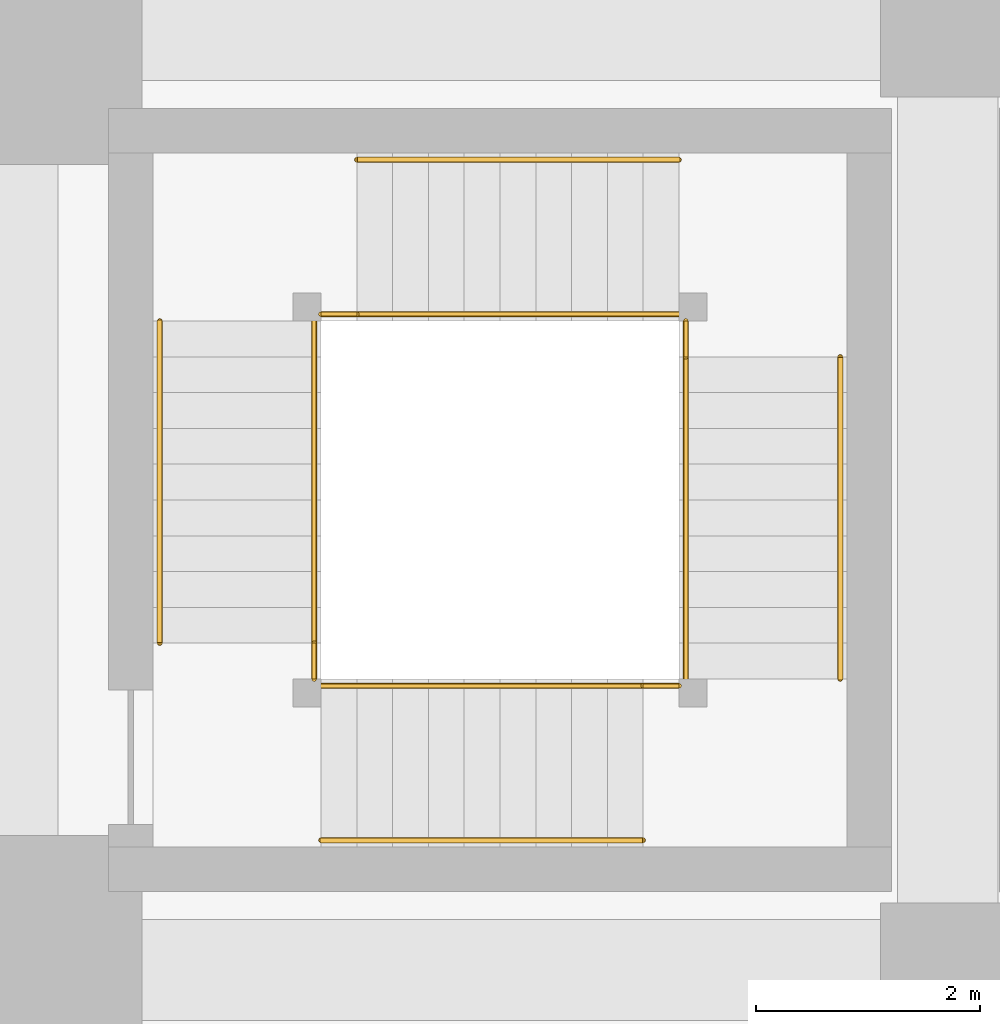
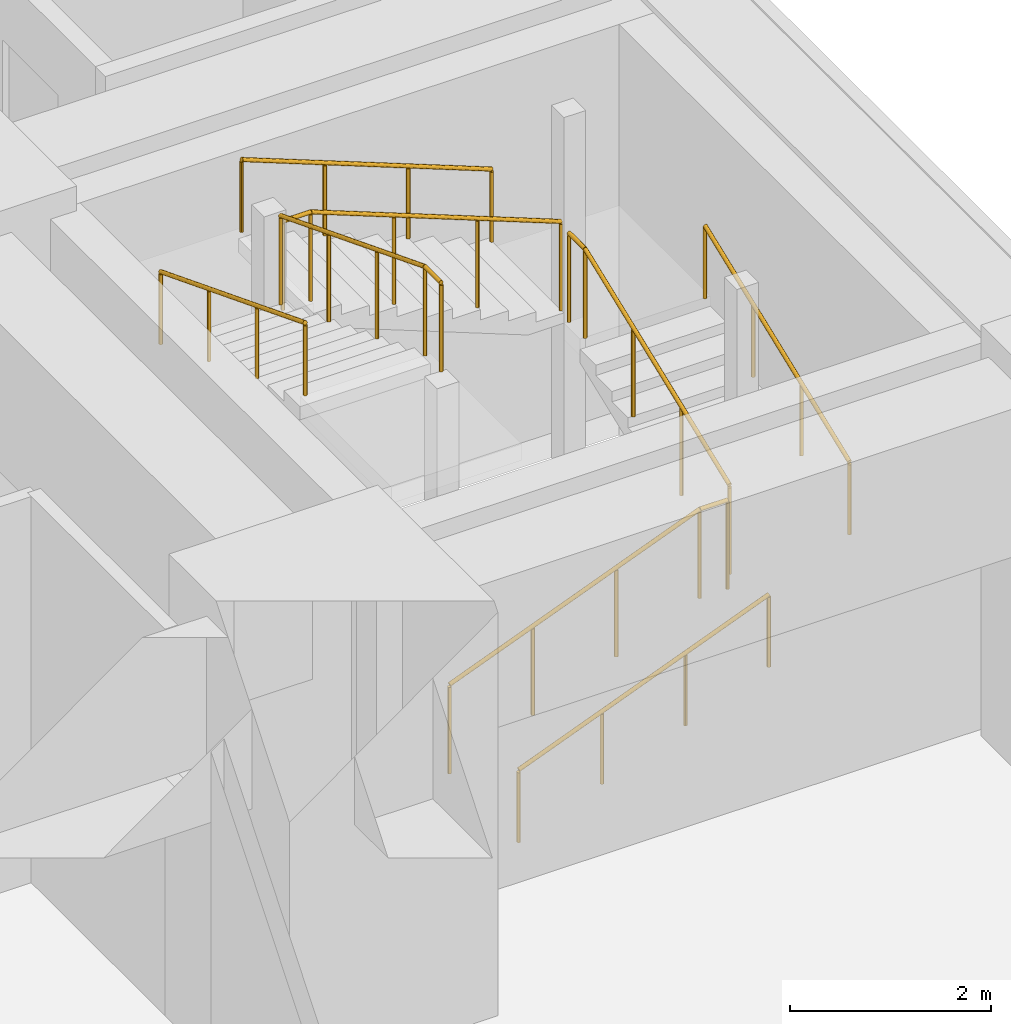
# One storey, part 49 of 49: 12 railings.
"""IFC4 building model written with IfcOpenShell, lengths in metres."""

from ifc_helpers import new_model, si_unit, direction, frame, origin, origin_2d, place, context, subcontext, project, spatial, circle, extrude, material, type_object, element, save


model = new_model("IFC4")

# Units and contexts
model_context = context("Model", 3, precision=1e-05, world=origin(), true_north=direction((0.0, 1.0)))
body_context = subcontext(model_context, "Body", "Model", "MODEL_VIEW")
ifc_project = project(units=[si_unit("LENGTHUNIT", "METRE"), si_unit("AREAUNIT", "SQUARE_METRE"), si_unit("VOLUMEUNIT", "CUBIC_METRE"), si_unit("PLANEANGLEUNIT", "RADIAN"), si_unit("MASSUNIT", "GRAM", prefix="KILO")], contexts=[model_context])

# Site, building, storey
site_placement = place(None, origin())
site = spatial("IfcSite", under=ifc_project, at=site_placement, CompositionType="ELEMENT")
building_placement = place(site_placement, origin())
building = spatial("IfcBuilding", under=site, at=building_placement, Name="Rekha Terrace Tower", CompositionType="ELEMENT")
storey_placement = place(building_placement, frame((0.0, 0.0, 10.39990234375)))
storey = spatial("IfcBuildingStorey", under=building, at=storey_placement, Name="L02", CompositionType="ELEMENT", Elevation=10.39990234375)

# Railings
ifc_material_1 = material(Name="Stainless steel balustrade", Category="steel")
railing_type_1 = type_object("IfcRailingType", Name="GR1 1100 stair guard", PredefinedType="GUARDRAIL", material=ifc_material_1)
railing_1_placement = place(storey_placement, frame((70.0, 27.739990234375, 0.125)))
element("IfcRailing", 1, at=railing_1_placement, inside=storey, type_object=railing_type_1, Name="Guard SP2 L02 flight 1", PredefinedType="GUARDRAIL", context=body_context, shape_type="SweptSolid", body=[
    extrude(circle(Radius=0.02392578125, at=origin_2d()), frame((0.0, 0.0, 1.076171875), z_axis=(0.931452331594, 0.0, 0.363863372667), x_axis=(0.0, 1.0, 0.0)), (0.0, 0.0, 1.0), 3.091796875),
    extrude(circle(Radius=0.02099609375, at=origin_2d()), origin(), (0.0, 0.0, 1.0), 1.052001953125),
    extrude(circle(Radius=0.02099609375, at=origin_2d()), frame((0.9599609375, 0.0, 0.375)), (0.0, 0.0, 1.0), 1.052001953125),
    extrude(circle(Radius=0.02099609375, at=origin_2d()), frame((1.919921875, 0.0, 0.75)), (0.0, 0.0, 1.0), 1.052001953125),
    extrude(circle(Radius=0.02099609375, at=origin_2d()), frame((2.8798828125, 0.0, 1.125)), (0.0, 0.0, 1.0), 1.052001953125),
])
railing_2_placement = place(storey_placement, frame((73.260009765625, 27.800048828125, 1.375)))
element("IfcRailing", 2, at=railing_2_placement, inside=storey, type_object=railing_type_1, Name="Guard SP2 L02 flight 2", PredefinedType="GUARDRAIL", context=body_context, shape_type="SweptSolid", body=[
    extrude(circle(Radius=0.02392578125, at=origin_2d()), frame((0.0, 0.0, 1.076171875), z_axis=(0.0, 0.931452331594, 0.363863372667), x_axis=(-1.0, 0.0, 0.0)), (0.0, 0.0, 1.0), 3.091796875),
    extrude(circle(Radius=0.02099609375, at=origin_2d()), origin(), (0.0, 0.0, 1.0), 1.052001953125),
    extrude(circle(Radius=0.02099609375, at=origin_2d()), frame((0.0, 0.9599609375, 0.375)), (0.0, 0.0, 1.0), 1.052001953125),
    extrude(circle(Radius=0.02099609375, at=origin_2d()), frame((0.0, 1.919921875, 0.75)), (0.0, 0.0, 1.0), 1.052001953125),
    extrude(circle(Radius=0.02099609375, at=origin_2d()), frame((0.0, 2.8798828125, 1.125)), (0.0, 0.0, 1.0), 1.052001953125),
])
railing_3_placement = place(storey_placement, frame((73.199951171875, 31.06005859375, 2.625)))
element("IfcRailing", 3, at=railing_3_placement, inside=storey, type_object=railing_type_1, Name="Guard SP2 L02 flight 3", PredefinedType="GUARDRAIL", context=body_context, shape_type="SweptSolid", body=[
    extrude(circle(Radius=0.02392578125, at=origin_2d()), frame((0.0, 0.0, 1.076171875), z_axis=(-0.931452331594, 0.0, 0.363863372667), x_axis=(0.0, -1.0, 0.0)), (0.0, 0.0, 1.0), 3.091796875),
    extrude(circle(Radius=0.02099609375, at=origin_2d()), origin(), (0.0, 0.0, 1.0), 1.052001953125),
    extrude(circle(Radius=0.02099609375, at=origin_2d()), frame((-0.9599609375, 0.0, 0.375)), (0.0, 0.0, 1.0), 1.052001953125),
    extrude(circle(Radius=0.02099609375, at=origin_2d()), frame((-1.919921875, 0.0, 0.75)), (0.0, 0.0, 1.0), 1.052001953125),
    extrude(circle(Radius=0.02099609375, at=origin_2d()), frame((-2.8798828125, 0.0, 1.125)), (0.0, 0.0, 1.0), 1.052001953125),
])
railing_4_placement = place(storey_placement, frame((69.93994140625, 31.0, 3.875)))
element("IfcRailing", 4, at=railing_4_placement, inside=storey, type_object=railing_type_1, Name="Guard SP2 L02 flight 4", PredefinedType="GUARDRAIL", context=body_context, shape_type="SweptSolid", body=[
    extrude(circle(Radius=0.02392578125, at=origin_2d()), frame((0.0, 0.0, 1.076171875), z_axis=(0.0, -0.931452331594, 0.363863372667), x_axis=(1.0, 0.0, 0.0)), (0.0, 0.0, 1.0), 3.091796875),
    extrude(circle(Radius=0.02099609375, at=origin_2d()), origin(), (0.0, 0.0, 1.0), 1.052001953125),
    extrude(circle(Radius=0.02099609375, at=origin_2d()), frame((0.0, -0.9599609375, 0.375)), (0.0, 0.0, 1.0), 1.052001953125),
    extrude(circle(Radius=0.02099609375, at=origin_2d()), frame((0.0, -1.919921875, 0.75)), (0.0, 0.0, 1.0), 1.052001953125),
    extrude(circle(Radius=0.02099609375, at=origin_2d()), frame((0.0, -2.8798828125, 1.125)), (0.0, 0.0, 1.0), 1.052001953125),
])
railing_5_placement = place(storey_placement, frame((72.8798828125, 27.739990234375, 1.25)))
element("IfcRailing", 5, at=railing_5_placement, inside=storey, type_object=railing_type_1, Name="Guard SP2 L02 landing 1", PredefinedType="GUARDRAIL", context=body_context, shape_type="SweptSolid", body=[
    extrude(circle(Radius=0.02392578125, at=origin_2d()), frame((0.0, 0.0, 1.076171875), z_axis=(1.0, 0.0, 0.0), x_axis=(0.0, 1.0, 0.0)), (0.0, 0.0, 1.0), 0.320068359375),
    extrude(circle(Radius=0.02099609375, at=origin_2d()), origin(), (0.0, 0.0, 1.0), 1.052001953125),
    extrude(circle(Radius=0.02099609375, at=origin_2d()), frame((0.320068359375, 0.0, 0.0)), (0.0, 0.0, 1.0), 1.052001953125),
])
railing_6_placement = place(storey_placement, frame((73.260009765625, 30.679931640625, 2.5)))
element("IfcRailing", 6, at=railing_6_placement, inside=storey, type_object=railing_type_1, Name="Guard SP2 L02 landing 2", PredefinedType="GUARDRAIL", context=body_context, shape_type="SweptSolid", body=[
    extrude(circle(Radius=0.02392578125, at=origin_2d()), frame((0.0, 0.0, 1.076171875), z_axis=(0.0, 1.0, 0.0), x_axis=(-1.0, 0.0, 0.0)), (0.0, 0.0, 1.0), 0.320068359375),
    extrude(circle(Radius=0.02099609375, at=origin_2d()), origin(), (0.0, 0.0, 1.0), 1.052001953125),
    extrude(circle(Radius=0.02099609375, at=origin_2d()), frame((0.0, 0.320068359375, 0.0)), (0.0, 0.0, 1.0), 1.052001953125),
])
railing_7_placement = place(storey_placement, frame((70.0, 31.06005859375, 3.75)))
element("IfcRailing", 7, at=railing_7_placement, inside=storey, type_object=railing_type_1, Name="Guard SP2 L02 landing 3", PredefinedType="GUARDRAIL", context=body_context, shape_type="SweptSolid", body=[
    extrude(circle(Radius=0.02392578125, at=origin_2d()), frame((0.0, 0.0, 1.076171875), z_axis=(1.0, 0.0, 0.0), x_axis=(0.0, 1.0, 0.0)), (0.0, 0.0, 1.0), 0.320068359375),
    extrude(circle(Radius=0.02099609375, at=origin_2d()), origin(), (0.0, 0.0, 1.0), 1.052001953125),
    extrude(circle(Radius=0.02099609375, at=origin_2d()), frame((0.320068359375, 0.0, 0.0)), (0.0, 0.0, 1.0), 1.052001953125),
])
railing_8_placement = place(storey_placement, frame((69.93994140625, 27.800048828125, 5.0)))
element("IfcRailing", 8, at=railing_8_placement, inside=storey, type_object=railing_type_1, Name="Guard SP2 L02 landing 4", PredefinedType="GUARDRAIL", context=body_context, shape_type="SweptSolid", body=[
    extrude(circle(Radius=0.02392578125, at=origin_2d()), frame((0.0, 0.0, 1.076171875), z_axis=(0.0, 1.0, 0.0), x_axis=(-1.0, 0.0, 0.0)), (0.0, 0.0, 1.0), 0.320068359375),
    extrude(circle(Radius=0.02099609375, at=origin_2d()), origin(), (0.0, 0.0, 1.0), 1.052001953125),
    extrude(circle(Radius=0.02099609375, at=origin_2d()), frame((0.0, 0.320068359375, 0.0)), (0.0, 0.0, 1.0), 1.052001953125),
])
ifc_material_2 = material(Name="Stainless steel tube", Category="steel")
railing_type_2 = type_object("IfcRailingType", Name="HR1 900 stair handrail", PredefinedType="HANDRAIL", material=ifc_material_2)
railing_9_placement = place(storey_placement, frame((70.0, 26.360107421875, 0.125)))
element("IfcRailing", 9, at=railing_9_placement, inside=storey, type_object=railing_type_2, Name="Handrail SP2 L02 flight 1", PredefinedType="HANDRAIL", context=body_context, shape_type="SweptSolid", body=[
    extrude(circle(Radius=0.02392578125, at=origin_2d()), frame((0.0, 0.0, 0.8759765625), z_axis=(0.931452331594, 0.0, 0.363863372667), x_axis=(0.0, 1.0, 0.0)), (0.0, 0.0, 1.0), 3.091796875),
    extrude(circle(Radius=0.02099609375, at=origin_2d()), origin(), (0.0, 0.0, 1.0), 0.851806640625),
    extrude(circle(Radius=0.02099609375, at=origin_2d()), frame((0.9599609375, 0.0, 0.375)), (0.0, 0.0, 1.0), 0.851806640625),
    extrude(circle(Radius=0.02099609375, at=origin_2d()), frame((1.919921875, 0.0, 0.75)), (0.0, 0.0, 1.0), 0.851806640625),
    extrude(circle(Radius=0.02099609375, at=origin_2d()), frame((2.8798828125, 0.0, 1.125)), (0.0, 0.0, 1.0), 0.851806640625),
])
railing_10_placement = place(storey_placement, frame((74.639892578125, 27.800048828125, 1.375)))
element("IfcRailing", 10, at=railing_10_placement, inside=storey, type_object=railing_type_2, Name="Handrail SP2 L02 flight 2", PredefinedType="HANDRAIL", context=body_context, shape_type="SweptSolid", body=[
    extrude(circle(Radius=0.02392578125, at=origin_2d()), frame((0.0, 0.0, 0.8759765625), z_axis=(0.0, 0.931452331594, 0.363863372667), x_axis=(-1.0, 0.0, 0.0)), (0.0, 0.0, 1.0), 3.091796875),
    extrude(circle(Radius=0.02099609375, at=origin_2d()), origin(), (0.0, 0.0, 1.0), 0.851806640625),
    extrude(circle(Radius=0.02099609375, at=origin_2d()), frame((0.0, 0.9599609375, 0.375)), (0.0, 0.0, 1.0), 0.851806640625),
    extrude(circle(Radius=0.02099609375, at=origin_2d()), frame((0.0, 1.919921875, 0.75)), (0.0, 0.0, 1.0), 0.851806640625),
    extrude(circle(Radius=0.02099609375, at=origin_2d()), frame((0.0, 2.8798828125, 1.125)), (0.0, 0.0, 1.0), 0.851806640625),
])
railing_11_placement = place(storey_placement, frame((73.199951171875, 32.43994140625, 2.625)))
element("IfcRailing", 11, at=railing_11_placement, inside=storey, type_object=railing_type_2, Name="Handrail SP2 L02 flight 3", PredefinedType="HANDRAIL", context=body_context, shape_type="SweptSolid", body=[
    extrude(circle(Radius=0.02392578125, at=origin_2d()), frame((0.0, 0.0, 0.8759765625), z_axis=(-0.931452331594, 0.0, 0.363863372667), x_axis=(0.0, -1.0, 0.0)), (0.0, 0.0, 1.0), 3.091796875),
    extrude(circle(Radius=0.02099609375, at=origin_2d()), origin(), (0.0, 0.0, 1.0), 0.851806640625),
    extrude(circle(Radius=0.02099609375, at=origin_2d()), frame((-0.9599609375, 0.0, 0.375)), (0.0, 0.0, 1.0), 0.851806640625),
    extrude(circle(Radius=0.02099609375, at=origin_2d()), frame((-1.919921875, 0.0, 0.75)), (0.0, 0.0, 1.0), 0.851806640625),
    extrude(circle(Radius=0.02099609375, at=origin_2d()), frame((-2.8798828125, 0.0, 1.125)), (0.0, 0.0, 1.0), 0.851806640625),
])
railing_12_placement = place(storey_placement, frame((68.56005859375, 31.0, 3.875)))
element("IfcRailing", 12, at=railing_12_placement, inside=storey, type_object=railing_type_2, Name="Handrail SP2 L02 flight 4", PredefinedType="HANDRAIL", context=body_context, shape_type="SweptSolid", body=[
    extrude(circle(Radius=0.02392578125, at=origin_2d()), frame((0.0, 0.0, 0.8759765625), z_axis=(0.0, -0.931452331594, 0.363863372667), x_axis=(1.0, 0.0, 0.0)), (0.0, 0.0, 1.0), 3.091796875),
    extrude(circle(Radius=0.02099609375, at=origin_2d()), origin(), (0.0, 0.0, 1.0), 0.851806640625),
    extrude(circle(Radius=0.02099609375, at=origin_2d()), frame((0.0, -0.9599609375, 0.375)), (0.0, 0.0, 1.0), 0.851806640625),
    extrude(circle(Radius=0.02099609375, at=origin_2d()), frame((0.0, -1.919921875, 0.75)), (0.0, 0.0, 1.0), 0.851806640625),
    extrude(circle(Radius=0.02099609375, at=origin_2d()), frame((0.0, -2.8798828125, 1.125)), (0.0, 0.0, 1.0), 0.851806640625),
])

save(model, "model.ifc")
